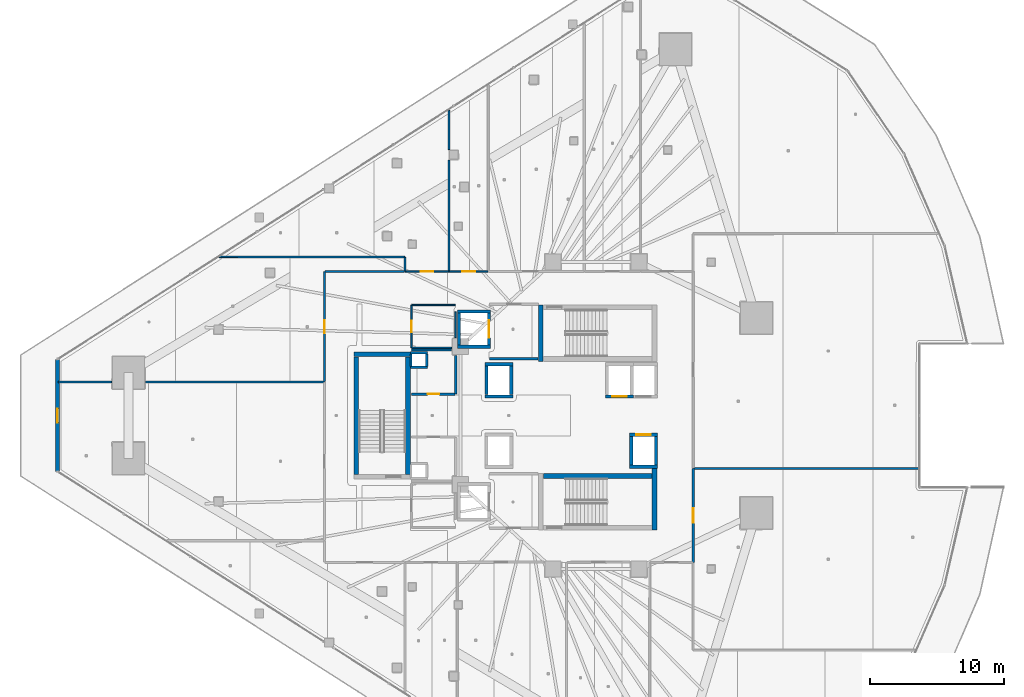
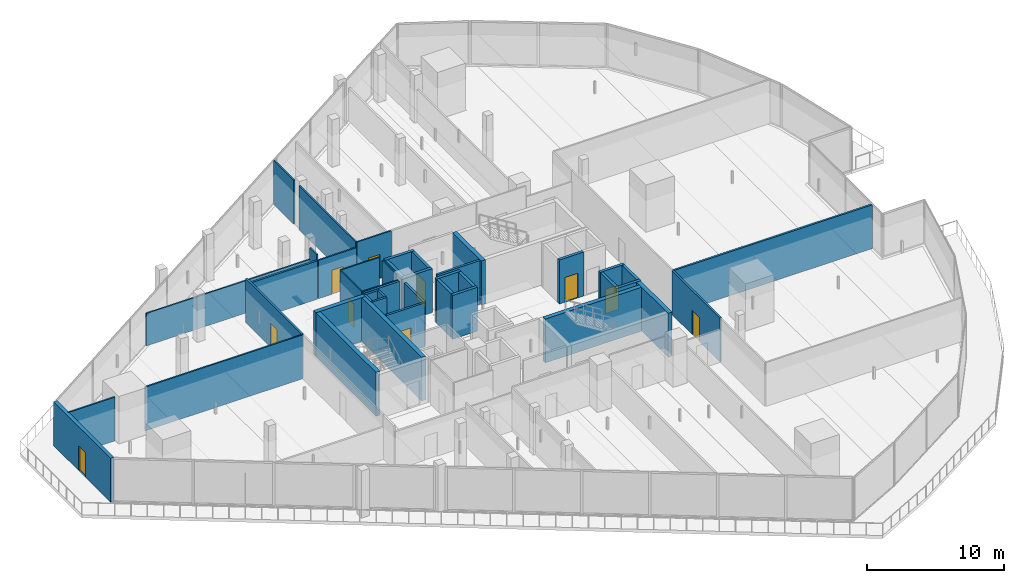
# One storey, part 30 of 44: 44 walls, 10 doors, 10 openings.
"""IFC4 building model written with IfcOpenShell, lengths in metres."""

from ifc_helpers import new_model, si_unit, direction, frame, frame_2d, origin, place, context, subcontext, project, spatial, rectangle, extrude, material, layer, layer_set, type_object, element, fill, save


model = new_model("IFC4")

# Units and contexts
model_context = context("Model", 3, precision=1e-05, world=origin(), true_north=direction((0.0, 1.0)))
body_context = subcontext(model_context, "Body", "Model", "MODEL_VIEW")
ifc_project = project(units=[si_unit("LENGTHUNIT", "METRE"), si_unit("AREAUNIT", "SQUARE_METRE"), si_unit("VOLUMEUNIT", "CUBIC_METRE"), si_unit("PLANEANGLEUNIT", "RADIAN"), si_unit("MASSUNIT", "GRAM", prefix="KILO")], contexts=[model_context])

# Site, building, storey
site_placement = place(None, origin())
site = spatial("IfcSite", under=ifc_project, at=site_placement, CompositionType="ELEMENT")
building_placement = place(site_placement, origin())
building = spatial("IfcBuilding", under=site, at=building_placement, Name="Qorvath Tower", CompositionType="ELEMENT")
storey_placement = place(building_placement, frame((0.0, 0.0, 53.39990234375)))
storey = spatial("IfcBuildingStorey", under=building, at=storey_placement, Name="L11", CompositionType="ELEMENT", Elevation=53.39990234375)

# Walls
ifc_material_1 = material(Name="Gypsum shaftliner on steel studs", Category="steel")
ifc_layer_1 = layer(ifc_material_1, 0.179931640625)
ifc_layer_set_1 = layer_set([ifc_layer_1], Name="FW-LOBBY")
wall_type_1 = type_object("IfcWallType", Name="FW-LOBBY", PredefinedType="PARTITIONING", material=ifc_layer_set_1)
for number, where, z_axis, x_axis, name in (
    (1, (-32.989990234375, 3.594970703125, 0.0), (0.0, 0.0, 1.0), (-1.0, 0.0, 0.0), "MEP Riser Shaft Enclosure Wall N-L11-S"),
    (2, (-34.260009765625, 4.675048828125, 0.0), (0.0, 0.0, 1.0), (1.0, 0.0, 0.0), "MEP Riser Shaft Enclosure Wall N-L11-N"),
):
    element("IfcWall", number, at=place(storey_placement, frame(where, z_axis=z_axis, x_axis=x_axis)), inside=storey, type_object=wall_type_1, Name=name, PredefinedType="PARTITIONING", context=body_context, shape_type="SweptSolid", body=[
        extrude(rectangle(XDim=1.27001953125, YDim=0.179931640625, at=frame_2d((0.635009765625, 0.0))), origin(), (0.0, 0.0, 1.0), 3.920166015625),
    ])
for number, where, z_axis, x_axis, name in (
    (3, (-34.205078125, 3.659912109375, 0.0), (0.0, 0.0, 1.0), (0.0, 1.0, 0.0), "MEP Riser Shaft Enclosure Wall N-L11-W"),
    (4, (-33.044921875, 4.610107421875, 0.0), (0.0, 0.0, 1.0), (0.0, -1.0, 0.0), "MEP Riser Shaft Enclosure Wall N-L11-E"),
):
    element("IfcWall", number, at=place(storey_placement, frame(where, z_axis=z_axis, x_axis=x_axis)), inside=storey, type_object=wall_type_1, Name=name, PredefinedType="PARTITIONING", context=body_context, shape_type="SweptSolid", body=[
        extrude(rectangle(XDim=0.9501953125, YDim=0.179931640625, at=frame_2d((0.47509765625, 0.0))), origin(), (0.0, 0.0, 1.0), 3.920166015625),
    ])
wall_1_placement = place(storey_placement, frame((-28.35498046875, 4.25, 0.0), z_axis=(0.0, 0.0, 1.0), x_axis=(1.0, 0.0, 0.0)))
element("IfcWall", 5, at=wall_1_placement, inside=storey, type_object=wall_type_1, Name="Interior Partition IW-T1-L11-001", PredefinedType="PARTITIONING", context=body_context, shape_type="SweptSolid", body=[
    extrude(rectangle(XDim=3.6220703125, YDim=0.179931640625, at=frame_2d((1.81103515625, 0.0))), origin(), (0.0, 0.0, 1.0), 3.920166015625),
])

# Wall, opening, door
wall_2_placement = place(storey_placement, frame((-34.15478515625, 1.60009765625, 0.0), z_axis=(0.0, 0.0, 1.0), x_axis=(1.0, 0.0, 0.0)))
wall_2 = element("IfcWall", 6, at=wall_2_placement, inside=storey, type_object=wall_type_1, Name="Interior Partition IW-T1-L11-013", PredefinedType="PARTITIONING", context=body_context, shape_type="SweptSolid", body=[
    extrude(rectangle(XDim=3.25, YDim=0.179931640625, at=frame_2d((1.625, 0.0))), origin(), (0.0, 0.0, 1.0), 3.920166015625),
])
opening_1_placement = place(wall_2_placement, frame((1.18505859375, 0.0, 0.0)))
opening_1 = element("IfcOpeningElement", 7, at=opening_1_placement, cuts=wall_2, Name="Opening D-T1-L11-03", PredefinedType="OPENING", context=body_context, shape_type="SweptSolid", body=[
    extrude(rectangle(XDim=0.8798828125, YDim=2.10009765625, at=frame_2d((0.43994140625, 1.050048828125))), frame((0.0, 0.10009765625, 0.0), z_axis=(0.0, -1.0, 0.0), x_axis=(1.0, 0.0, 0.0)), (0.0, 0.0, 1.0), 0.199951171875),
])
ifc_material_2 = material(Name="Painted galvanised hollow metal", Category="steel")
door_type_1 = type_object("IfcDoorType", Name="FD-60N", OperationType="NOTDEFINED", PredefinedType="DOOR", material=ifc_material_2)
door_1_placement = place(opening_1_placement, origin())
door_1 = element("IfcDoor", 8, at=door_1_placement, inside=storey, type_object=door_type_1, Name="Core cleaner and custodial room L11 Door D-T1-L11-03", OperationType="SINGLE_SWING_LEFT", OverallHeight=2.10009765625, OverallWidth=0.8798828125, PredefinedType="DOOR", context=body_context, shape_type="SweptSolid", body=[
    extrude(rectangle(XDim=0.8798828125, YDim=2.10009765625, at=frame_2d((0.43994140625, 1.050048828125))), frame((0.0, 0.02490234375, 0.0), z_axis=(0.0, -1.0, 0.0), x_axis=(1.0, 0.0, 0.0)), (0.0, 0.0, 1.0), 0.050048828125),
])
fill(opening_1, door_1)

# Walls
wall_3_placement = place(storey_placement, frame((-30.8798828125, 1.625, 0.0), z_axis=(0.0, 0.0, 1.0), x_axis=(0.0, 1.0, 0.0)))
element("IfcWall", 9, at=wall_3_placement, inside=storey, type_object=wall_type_1, Name="Interior Partition IW-T1-L11-014", PredefinedType="PARTITIONING", context=body_context, shape_type="SweptSolid", body=[
    extrude(rectangle(XDim=2.860107421875, YDim=0.179931640625, at=frame_2d((1.43017578125, 0.0))), origin(), (0.0, 0.0, 1.0), 3.920166015625),
])
wall_4_placement = place(storey_placement, frame((-31.1650390625, 4.89990234375, 0.0), z_axis=(0.0, 0.0, 1.0), x_axis=(-1.0, 0.0, 0.0)))
element("IfcWall", 10, at=wall_4_placement, inside=storey, type_object=wall_type_1, Name="Interior Partition IW-T1-L11-015", PredefinedType="PARTITIONING", context=body_context, shape_type="SweptSolid", body=[
    extrude(rectangle(XDim=2.98974609375, YDim=0.179931640625, at=frame_2d((1.494873046875, 0.0))), origin(), (0.0, 0.0, 1.0), 3.920166015625),
])
ifc_material_3 = material(Name="Double acoustic gypsum board on steel studs", Category="steel")
ifc_layer_2 = layer(ifc_material_3, 0.159912109375)
ifc_layer_set_2 = layer_set([ifc_layer_2], Name="IW-ACOUSTIC-160")
wall_type_2 = type_object("IfcWallType", Name="IW-ACOUSTIC-160", PredefinedType="PARTITIONING", material=ifc_layer_set_2)
wall_5_placement = place(storey_placement, frame((3.6630859375, -3.94140625, 0.0), z_axis=(0.0, 0.0, 1.0), x_axis=(-1.0, 0.0, 0.0)))
element("IfcWall", 11, at=wall_5_placement, inside=storey, type_object=wall_type_2, Name="Interior Partition IW-T1-L11-046", PredefinedType="PARTITIONING", context=body_context, shape_type="SweptSolid", body=[
    extrude(rectangle(XDim=16.7802734375, YDim=0.159912109375, at=frame_2d((8.39013671875, 0.0))), origin(), (0.0, 0.0, 1.0), 3.920166015625),
])

# Wall, opening, door
wall_6_placement = place(storey_placement, frame((-13.14208984375, -3.96630859375, 0.0), z_axis=(0.0, 0.0, 1.0), x_axis=(0.0, -1.0, 0.0)))
wall_6 = element("IfcWall", 12, at=wall_6_placement, inside=storey, type_object=wall_type_2, Name="Interior Partition IW-T1-L11-047", PredefinedType="PARTITIONING", context=body_context, shape_type="SweptSolid", body=[
    extrude(rectangle(XDim=6.99169921875, YDim=0.159912109375, at=frame_2d((3.495849609375, 0.0))), origin(), (0.0, 0.0, 1.0), 3.920166015625),
])
opening_2_placement = place(wall_6_placement, frame((2.94580078125, 0.0, 0.0)))
opening_2 = element("IfcOpeningElement", 13, at=opening_2_placement, cuts=wall_6, Name="Opening D-T1-L11-14", PredefinedType="OPENING", context=body_context, shape_type="SweptSolid", body=[
    extrude(rectangle(XDim=1.10009765625, YDim=2.14990234375, at=frame_2d((0.550048828125, 1.074951171875))), frame((0.0, 0.08984375, 0.0), z_axis=(0.0, -1.0, 0.0), x_axis=(1.0, 0.0, 0.0)), (0.0, 0.0, 1.0), 0.179931640625),
])
ifc_material_4 = material(Name="Anodised aluminium acoustic framed glass", Category="aluminium")
door_type_2 = type_object("IfcDoorType", Name="D-03", OperationType="NOTDEFINED", PredefinedType="DOOR", material=ifc_material_4)
door_2_placement = place(opening_2_placement, origin())
door_2 = element("IfcDoor", 14, at=door_2_placement, inside=storey, type_object=door_type_2, Name="L11-10 Enclosed Conference Suite Door D-T1-L11-14", OperationType="SINGLE_SWING_RIGHT", OverallHeight=2.14990234375, OverallWidth=1.10009765625, PredefinedType="DOOR", context=body_context, shape_type="SweptSolid", body=[
    extrude(rectangle(XDim=1.10009765625, YDim=2.14990234375, at=frame_2d((0.550048828125, 1.074951171875))), frame((0.0, 0.02490234375, 0.0), z_axis=(0.0, -1.0, 0.0), x_axis=(1.0, 0.0, 0.0)), (0.0, 0.0, 1.0), 0.050048828125),
])
fill(opening_2, door_2)

wall_7_placement = place(storey_placement, frame((-40.657958984375, 2.53271484375, 0.0), z_axis=(0.0, 0.0, 1.0), x_axis=(0.0, 1.0, 0.0)))
wall_7 = element("IfcWall", 15, at=wall_7_placement, inside=storey, type_object=wall_type_2, Name="Interior Partition IW-T1-L11-055", PredefinedType="PARTITIONING", context=body_context, shape_type="SweptSolid", body=[
    extrude(rectangle(XDim=8.200439453125, YDim=0.159912109375, at=frame_2d((4.10009765625, 0.0))), origin(), (0.0, 0.0, 1.0), 3.920166015625),
])
opening_3_placement = place(wall_7_placement, frame((3.625244140625, 0.0, 0.0)))
opening_3 = element("IfcOpeningElement", 16, at=opening_3_placement, cuts=wall_7, Name="Opening D-T1-L11-18", PredefinedType="OPENING", context=body_context, shape_type="SweptSolid", body=[
    extrude(rectangle(XDim=0.949951171875, YDim=2.14990234375, at=frame_2d((0.47509765625, 1.074951171875))), frame((0.0, 0.08984375, 0.0), z_axis=(0.0, -1.0, 0.0), x_axis=(1.0, 0.0, 0.0)), (0.0, 0.0, 1.0), 0.179931640625),
])
ifc_material_5 = material(Name="Solid-core American white oak veneer", Category="wood")
door_type_3 = type_object("IfcDoorType", Name="D-01", OperationType="NOTDEFINED", PredefinedType="DOOR", material=ifc_material_5)
door_3_placement = place(opening_3_placement, origin())
door_3 = element("IfcDoor", 17, at=door_3_placement, inside=storey, type_object=door_type_3, Name="L11-14 Staff Wellness Studio Door D-T1-L11-18", OperationType="SINGLE_SWING_RIGHT", OverallHeight=2.14990234375, OverallWidth=0.949951171875, PredefinedType="DOOR", context=body_context, shape_type="SweptSolid", body=[
    extrude(rectangle(XDim=0.949951171875, YDim=2.14990234375, at=frame_2d((0.47509765625, 1.074951171875))), frame((0.0, 0.02490234375, 0.0), z_axis=(0.0, -1.0, 0.0), x_axis=(1.0, 0.0, 0.0)), (0.0, 0.0, 1.0), 0.050048828125),
])
fill(opening_3, door_3)

# Walls
wall_8_placement = place(storey_placement, frame((-34.68310546875, 10.758056640625, 0.0), z_axis=(0.0, 0.0, 1.0), x_axis=(-1.0, 0.0, 0.0)))
element("IfcWall", 18, at=wall_8_placement, inside=storey, type_object=wall_type_2, Name="Interior Partition IW-T1-L11-056", PredefinedType="PARTITIONING", context=body_context, shape_type="SweptSolid", body=[
    extrude(rectangle(XDim=5.949951171875, YDim=0.159912109375, at=frame_2d((2.97509765625, 0.0))), origin(), (0.0, 0.0, 1.0), 3.43310546875),
])
ifc_material_6 = material(Name="Gypsum board on metal studs with mineral wool", Category="gypsum")
ifc_layer_3 = layer(ifc_material_6, 0.125)
ifc_layer_set_3 = layer_set([ifc_layer_3], Name="IW-PART-125")
wall_type_3 = type_object("IfcWallType", Name="IW-PART-125", PredefinedType="PARTITIONING", material=ifc_layer_set_3)
wall_9_placement = place(storey_placement, frame((-48.529296875, 11.840087890625, 0.0), z_axis=(0.0, 0.0, 1.0), x_axis=(0.999999685592, -0.000792979239, 0.0)))
element("IfcWall", 19, at=wall_9_placement, inside=storey, type_object=wall_type_3, Name="Interior Partition IW-T1-L11-019", PredefinedType="PARTITIONING", context=body_context, shape_type="SweptSolid", body=[
    extrude(rectangle(XDim=13.8544921875, YDim=0.125, at=frame_2d((6.92724609375, 0.0))), origin(), (0.0, 0.0, 1.0), 2.89013671875),
])
wall_10_placement = place(storey_placement, frame((-34.64990234375, 10.783203125, 0.0), z_axis=(0.0, 0.0, 1.0), x_axis=(0.0, 1.0, 0.0)))
element("IfcWall", 20, at=wall_10_placement, inside=storey, type_object=wall_type_3, Name="Interior Partition IW-T1-L11-020", PredefinedType="PARTITIONING", context=body_context, shape_type="SweptSolid", body=[
    extrude(rectangle(XDim=1.02099609375, YDim=0.125, at=frame_2d((0.510498046875, 0.0))), origin(), (0.0, 0.0, 1.0), 3.920166015625),
])

# Wall, opening, door
wall_11_placement = place(storey_placement, frame((-34.625, 10.758056640625, 0.0), z_axis=(0.0, 0.0, 1.0), x_axis=(1.0, 0.0, 0.0)))
wall_11 = element("IfcWall", 21, at=wall_11_placement, inside=storey, type_object=wall_type_3, Name="Interior Partition IW-T1-L11-021", PredefinedType="PARTITIONING", context=body_context, shape_type="SweptSolid", body=[
    extrude(rectangle(XDim=3.22412109375, YDim=0.125, at=frame_2d((1.612060546875, 0.0))), origin(), (0.0, 0.0, 1.0), 3.43310546875),
])
opening_4_placement = place(wall_11_placement, frame((1.136962890625, 0.0, 0.0)))
opening_4 = element("IfcOpeningElement", 22, at=opening_4_placement, cuts=wall_11, Name="Opening D-T1-L11-05", PredefinedType="OPENING", context=body_context, shape_type="SweptSolid", body=[
    extrude(rectangle(XDim=0.949951171875, YDim=2.14990234375, at=frame_2d((0.47509765625, 1.074951171875))), frame((0.0, 0.072509765625, 0.0), z_axis=(0.0, -1.0, 0.0), x_axis=(1.0, 0.0, 0.0)), (0.0, 0.0, 1.0), 0.14501953125),
])
door_4_placement = place(opening_4_placement, origin())
door_4 = element("IfcDoor", 23, at=door_4_placement, inside=storey, type_object=door_type_3, Name="L11-01 Focus Collaboration Pod Door D-T1-L11-05", OperationType="SINGLE_SWING_LEFT", OverallHeight=2.14990234375, OverallWidth=0.949951171875, PredefinedType="DOOR", context=body_context, shape_type="SweptSolid", body=[
    extrude(rectangle(XDim=0.949951171875, YDim=2.14990234375, at=frame_2d((0.47509765625, 1.074951171875))), frame((0.0, 0.02490234375, 0.0), z_axis=(0.0, -1.0, 0.0), x_axis=(1.0, 0.0, 0.0)), (0.0, 0.0, 1.0), 0.050048828125),
])
fill(opening_4, door_4)

# Walls
wall_12_placement = place(storey_placement, frame((-31.3759765625, 10.783203125, 0.0), z_axis=(0.0, 0.0, 1.0), x_axis=(0.0, 1.0, 0.0)))
element("IfcWall", 24, at=wall_12_placement, inside=storey, type_object=wall_type_3, Name="Interior Partition IW-T1-L11-022", PredefinedType="PARTITIONING", context=body_context, shape_type="SweptSolid", body=[
    extrude(rectangle(XDim=8.287109375, YDim=0.125, at=frame_2d((4.1435546875, 0.0))), origin(), (0.0, 0.0, 1.0), 3.920166015625),
])
wall_13_placement = place(storey_placement, frame((-31.3759765625, 19.850341796875, 0.0), z_axis=(0.0, 0.0, 1.0), x_axis=(0.0, 1.0, 0.0)))
element("IfcWall", 25, at=wall_13_placement, inside=storey, type_object=wall_type_3, Name="Interior Partition IW-T1-L11-023", PredefinedType="PARTITIONING", context=body_context, shape_type="SweptSolid", body=[
    extrude(rectangle(XDim=2.92431640625, YDim=0.125, at=frame_2d((1.462158203125, 0.0))), origin(), (0.0, 0.0, 1.0), 3.920166015625),
])

# Wall, opening, door
wall_14_placement = place(storey_placement, frame((-31.343017578125, 10.758056640625, 0.0), z_axis=(0.0, 0.0, 1.0), x_axis=(1.0, 0.0, 0.0)))
wall_14 = element("IfcWall", 26, at=wall_14_placement, inside=storey, type_object=wall_type_3, Name="Interior Partition IW-T1-L11-024", PredefinedType="PARTITIONING", context=body_context, shape_type="SweptSolid", body=[
    extrude(rectangle(XDim=2.880615234375, YDim=0.125, at=frame_2d((1.4404296875, 0.0))), origin(), (0.0, 0.0, 1.0), 3.920166015625),
])
opening_5_placement = place(wall_14_placement, frame((0.96533203125, 0.0, 0.0)))
opening_5 = element("IfcOpeningElement", 27, at=opening_5_placement, cuts=wall_14, Name="Opening D-T1-L11-06", PredefinedType="OPENING", context=body_context, shape_type="SweptSolid", body=[
    extrude(rectangle(XDim=0.949951171875, YDim=2.14990234375, at=frame_2d((0.47509765625, 1.074951171875))), frame((0.0, 0.072509765625, 0.0), z_axis=(0.0, -1.0, 0.0), x_axis=(1.0, 0.0, 0.0)), (0.0, 0.0, 1.0), 0.14501953125),
])
door_5_placement = place(opening_5_placement, origin())
door_5 = element("IfcDoor", 28, at=door_5_placement, inside=storey, type_object=door_type_3, Name="L11-02 Staff Refreshment Pantry and Coffee Bar Door D-T1-L11-06", OperationType="SINGLE_SWING_RIGHT", OverallHeight=2.14990234375, OverallWidth=0.949951171875, PredefinedType="DOOR", context=body_context, shape_type="SweptSolid", body=[
    extrude(rectangle(XDim=0.949951171875, YDim=2.14990234375, at=frame_2d((0.47509765625, 1.074951171875))), frame((0.0, 0.02490234375, 0.0), z_axis=(0.0, -1.0, 0.0), x_axis=(1.0, 0.0, 0.0)), (0.0, 0.0, 1.0), 0.050048828125),
])
fill(opening_5, door_5)

# Walls
wall_15_placement = place(storey_placement, frame((-40.68310546875, 2.49951171875, 0.0), z_axis=(0.0, 0.0, 1.0), x_axis=(-1.0, 0.0, 0.0)))
element("IfcWall", 29, at=wall_15_placement, inside=storey, type_object=wall_type_3, Name="Interior Partition IW-T1-L11-053", PredefinedType="PARTITIONING", context=body_context, shape_type="SweptSolid", body=[
    extrude(rectangle(XDim=13.334716796875, YDim=0.125, at=frame_2d((6.66748046875, 0.0))), origin(), (0.0, 0.0, 1.0), 3.920166015625),
])
wall_16_placement = place(storey_placement, frame((-56.5478515625, 2.49951171875, 0.0), z_axis=(0.0, 0.0, 1.0), x_axis=(-1.0, 0.0, 0.0)))
element("IfcWall", 30, at=wall_16_placement, inside=storey, type_object=wall_type_3, Name="Interior Partition IW-T1-L11-054", PredefinedType="PARTITIONING", context=body_context, shape_type="SweptSolid", body=[
    extrude(rectangle(XDim=3.97314453125, YDim=0.125, at=frame_2d((1.986572265625, 0.0))), origin(), (0.0, 0.0, 1.0), 3.920166015625),
])

# Wall, opening, door
ifc_material_7 = material(Name="Moisture-resistant cement board on metal studs", Category="gypsum")
ifc_layer_4 = layer(ifc_material_7, 0.110107421875)
ifc_layer_set_4 = layer_set([ifc_layer_4], Name="IW-WC-110")
wall_type_4 = type_object("IfcWallType", Name="IW-WC-110", PredefinedType="PARTITIONING", material=ifc_layer_set_4)
wall_17_placement = place(storey_placement, frame((-34.179931640625, 8.22509765625, 0.0), z_axis=(0.0, 0.0, 1.0), x_axis=(0.0, -1.0, 0.0)))
wall_17 = element("IfcWall", 31, at=wall_17_placement, inside=storey, type_object=wall_type_4, Name="Interior Partition IW-T1-L11-005", PredefinedType="PARTITIONING", context=body_context, shape_type="SweptSolid", body=[
    extrude(rectangle(XDim=3.150146484375, YDim=0.110107421875, at=frame_2d((1.5751953125, 0.0))), origin(), (0.0, 0.0, 1.0), 3.920166015625),
])
opening_6_placement = place(wall_17_placement, frame((1.135009765625, 0.0, 0.0)))
opening_6 = element("IfcOpeningElement", 32, at=opening_6_placement, cuts=wall_17, Name="Opening D-T1-L11-01", PredefinedType="OPENING", context=body_context, shape_type="SweptSolid", body=[
    extrude(rectangle(XDim=0.8798828125, YDim=2.10009765625, at=frame_2d((0.43994140625, 1.050048828125))), frame((0.0, 0.06494140625, 0.0), z_axis=(0.0, -1.0, 0.0), x_axis=(1.0, 0.0, 0.0)), (0.0, 0.0, 1.0), 0.130126953125),
])
ifc_material_8 = material(Name="Solid-core oak with acoustic drop seal", Category="wood")
door_type_4 = type_object("IfcDoorType", Name="D-02", OperationType="NOTDEFINED", PredefinedType="DOOR", material=ifc_material_8)
door_6_placement = place(opening_6_placement, origin())
door_6 = element("IfcDoor", 33, at=door_6_placement, inside=storey, type_object=door_type_4, Name="WC All-Gender North L11 Door D-T1-L11-01", OperationType="SINGLE_SWING_LEFT", OverallHeight=2.10009765625, OverallWidth=0.8798828125, PredefinedType="DOOR", context=body_context, shape_type="SweptSolid", body=[
    extrude(rectangle(XDim=0.8798828125, YDim=2.10009765625, at=frame_2d((0.43994140625, 1.050048828125))), frame((0.0, 0.02490234375, 0.0), z_axis=(0.0, -1.0, 0.0), x_axis=(1.0, 0.0, 0.0)), (0.0, 0.0, 1.0), 0.050048828125),
])
fill(opening_6, door_6)

# Walls
wall_18_placement = place(storey_placement, frame((-34.15478515625, 5.050048828125, 0.0), z_axis=(0.0, 0.0, 1.0), x_axis=(1.0, 0.0, 0.0)))
element("IfcWall", 34, at=wall_18_placement, inside=storey, type_object=wall_type_4, Name="Interior Partition IW-T1-L11-006", PredefinedType="PARTITIONING", context=body_context, shape_type="SweptSolid", body=[
    extrude(rectangle(XDim=2.98974609375, YDim=0.110107421875, at=frame_2d((1.494873046875, 0.0))), origin(), (0.0, 0.0, 1.0), 3.920166015625),
])
wall_19_placement = place(storey_placement, frame((-30.8798828125, 5.81494140625, 0.0), z_axis=(0.0, 0.0, 1.0), x_axis=(0.0, 1.0, 0.0)))
element("IfcWall", 35, at=wall_19_placement, inside=storey, type_object=wall_type_4, Name="Interior Partition IW-T1-L11-007", PredefinedType="PARTITIONING", context=body_context, shape_type="SweptSolid", body=[
    extrude(rectangle(XDim=1.927978515625, YDim=0.110107421875, at=frame_2d((0.9638671875, 0.0))), origin(), (0.0, 0.0, 1.0), 3.920166015625),
])
wall_20_placement = place(storey_placement, frame((-30.90478515625, 8.25, 0.0), z_axis=(0.0, 0.0, 1.0), x_axis=(-1.0, 0.0, 0.0)))
element("IfcWall", 36, at=wall_20_placement, inside=storey, type_object=wall_type_4, Name="Interior Partition IW-T1-L11-008", PredefinedType="PARTITIONING", context=body_context, shape_type="SweptSolid", body=[
    extrude(rectangle(XDim=3.25, YDim=0.110107421875, at=frame_2d((1.625, 0.0))), origin(), (0.0, 0.0, 1.0), 3.920166015625),
])
ifc_material_9 = material(Name="Concrete C60/75", Category="concrete")
ifc_layer_5 = layer(ifc_material_9, 0.260009765625)
ifc_layer_set_5 = layer_set([ifc_layer_5], Name="SW-SHAFT")
wall_type_5 = type_object("IfcWallType", Name="SW-SHAFT", PredefinedType="SHEAR", material=ifc_layer_set_5)
for number, where, z_axis, x_axis, name in (
    (37, (-28.260009765625, 5.1298828125, 0.0), (0.0, 0.0, 1.0), (-1.0, 0.0, 0.0), "Hoistway Wall FSAE-1 L11 S"),
    (38, (-30.739990234375, 7.77001953125, 0.0), (0.0, 0.0, 1.0), (1.0, 0.0, 0.0), "Hoistway Wall FSAE-1 L11 N"),
):
    element("IfcWall", number, at=place(storey_placement, frame(where, z_axis=z_axis, x_axis=x_axis)), inside=storey, type_object=wall_type_5, Name=name, PredefinedType="SHEAR", context=body_context, shape_type="SweptSolid", body=[
        extrude(rectangle(XDim=2.47998046875, YDim=0.239990234375, at=frame_2d((1.239990234375, 0.0))), origin(), (0.0, 0.0, 1.0), 3.920166015625),
    ])
wall_21_placement = place(storey_placement, frame((-30.6201171875, 5.261962890625, 0.0), z_axis=(0.0, 0.0, 1.0), x_axis=(0.0, 1.0, 0.0)))
element("IfcWall", 39, at=wall_21_placement, inside=storey, type_object=wall_type_5, Name="Hoistway Wall FSAE-1 L11 W", PredefinedType="SHEAR", context=body_context, shape_type="SweptSolid", body=[
    extrude(rectangle(XDim=2.3759765625, YDim=0.239990234375, at=frame_2d((1.18798828125, 0.0))), origin(), (0.0, 0.0, 1.0), 3.920166015625),
])

# Wall, opening, door
wall_22_placement = place(storey_placement, frame((-28.3798828125, 7.637939453125, 0.0), z_axis=(0.0, 0.0, 1.0), x_axis=(0.0, -1.0, 0.0)))
wall_22 = element("IfcWall", 40, at=wall_22_placement, inside=storey, type_object=wall_type_5, Name="Hoistway Wall FSAE-1 L11 E", PredefinedType="SHEAR", context=body_context, shape_type="SweptSolid", body=[
    extrude(rectangle(XDim=2.3759765625, YDim=0.239990234375, at=frame_2d((1.18798828125, 0.0))), origin(), (0.0, 0.0, 1.0), 3.920166015625),
])
opening_7_placement = place(wall_22_placement, frame((0.537841796875, 0.0, 0.0)))
opening_7 = element("IfcOpeningElement", 41, at=opening_7_placement, cuts=wall_22, Name="Opening LD-FSAE-1-L11", PredefinedType="OPENING", context=body_context, shape_type="SweptSolid", body=[
    extrude(rectangle(XDim=1.300048828125, YDim=2.300048828125, at=frame_2d((0.64990234375, 1.14990234375))), frame((0.0, 0.1298828125, 0.0), z_axis=(0.0, -1.0, 0.0), x_axis=(1.0, 0.0, 0.0)), (0.0, 0.0, 1.0), 0.260009765625),
])
ifc_material_10 = material(Name="Brushed stainless steel AISI 316", Category="steel")
door_type_5 = type_object("IfcDoorType", Name="LD-02", OperationType="NOTDEFINED", PredefinedType="DOOR", material=ifc_material_10)
door_7_placement = place(opening_7_placement, origin())
door_7 = element("IfcDoor", 42, at=door_7_placement, inside=storey, type_object=door_type_5, Name="Elevator Landing Sliding Door LD-FSAE-1-L11", OperationType="DOUBLE_DOOR_SLIDING", OverallHeight=2.300048828125, OverallWidth=1.300048828125, PredefinedType="DOOR", context=body_context, shape_type="SweptSolid", body=[
    extrude(rectangle(XDim=1.300048828125, YDim=2.300048828125, at=frame_2d((0.64990234375, 1.14990234375))), frame((0.0, 0.02490234375, 0.0), z_axis=(0.0, -1.0, 0.0), x_axis=(1.0, 0.0, 0.0)), (0.0, 0.0, 1.0), 0.050048828125),
])
fill(opening_7, door_7)

# Walls
for number, where, z_axis, x_axis, name in (
    (43, (-26.610107421875, 1.429931640625, 0.0), (0.0, 0.0, 1.0), (-1.0, 0.0, 0.0), "Hoistway Wall PS-1 L11 S"),
    (44, (-28.68994140625, 3.820068359375, 0.0), (0.0, 0.0, 1.0), (1.0, 0.0, 0.0), "Hoistway Wall PS-1 L11 N"),
):
    element("IfcWall", number, at=place(storey_placement, frame(where, z_axis=z_axis, x_axis=x_axis)), inside=storey, type_object=wall_type_5, Name=name, PredefinedType="SHEAR", context=body_context, shape_type="SweptSolid", body=[
        extrude(rectangle(XDim=2.079833984375, YDim=0.239990234375, at=frame_2d((1.0400390625, 0.0))), origin(), (0.0, 0.0, 1.0), 3.920166015625),
    ])
for number, where, z_axis, x_axis, name in (
    (45, (-28.570068359375, 1.56201171875, 0.0), (0.0, 0.0, 1.0), (0.0, 1.0, 0.0), "Hoistway Wall PS-1 L11 W"),
    (46, (-26.72998046875, 3.68798828125, 0.0), (0.0, 0.0, 1.0), (0.0, -1.0, 0.0), "Hoistway Wall PS-1 L11 E"),
):
    element("IfcWall", number, at=place(storey_placement, frame(where, z_axis=z_axis, x_axis=x_axis)), inside=storey, type_object=wall_type_5, Name=name, PredefinedType="SHEAR", context=body_context, shape_type="SweptSolid", body=[
        extrude(rectangle(XDim=2.1259765625, YDim=0.239990234375, at=frame_2d((1.06298828125, 0.0))), origin(), (0.0, 0.0, 1.0), 3.920166015625),
    ])

# Wall, opening, door
wall_23_placement = place(storey_placement, frame((-17.610107421875, 1.429931640625, 0.0), z_axis=(0.0, 0.0, 1.0), x_axis=(-1.0, 0.0, 0.0)))
wall_23 = element("IfcWall", 47, at=wall_23_placement, inside=storey, type_object=wall_type_5, Name="Hoistway Wall PL-1 L11 S", PredefinedType="SHEAR", context=body_context, shape_type="SweptSolid", body=[
    extrude(rectangle(XDim=2.079833984375, YDim=0.239990234375, at=frame_2d((1.0400390625, 0.0))), origin(), (0.0, 0.0, 1.0), 3.920166015625),
])
opening_8_placement = place(wall_23_placement, frame((0.48974609375, 0.0, 0.0)))
opening_8 = element("IfcOpeningElement", 48, at=opening_8_placement, cuts=wall_23, Name="Opening LD-PL-1-L11", PredefinedType="OPENING", context=body_context, shape_type="SweptSolid", body=[
    extrude(rectangle(XDim=1.10009765625, YDim=2.199951171875, at=frame_2d((0.550048828125, 1.10009765625))), frame((0.0, 0.1298828125, 0.0), z_axis=(0.0, -1.0, 0.0), x_axis=(1.0, 0.0, 0.0)), (0.0, 0.0, 1.0), 0.260009765625),
])
ifc_material_11 = material(Name="Brushed stainless steel AISI 316", Category="steel")
door_type_6 = type_object("IfcDoorType", Name="LD-01", OperationType="NOTDEFINED", PredefinedType="DOOR", material=ifc_material_11)
door_8_placement = place(opening_8_placement, origin())
door_8 = element("IfcDoor", 49, at=door_8_placement, inside=storey, type_object=door_type_6, Name="Elevator Landing Sliding Door LD-PL-1-L11", OperationType="DOUBLE_DOOR_SLIDING", OverallHeight=2.199951171875, OverallWidth=1.10009765625, PredefinedType="DOOR", context=body_context, shape_type="SweptSolid", body=[
    extrude(rectangle(XDim=1.10009765625, YDim=2.199951171875, at=frame_2d((0.550048828125, 1.10009765625))), frame((0.0, 0.02490234375, 0.0), z_axis=(0.0, -1.0, 0.0), x_axis=(1.0, 0.0, 0.0)), (0.0, 0.0, 1.0), 0.050048828125),
])
fill(opening_8, door_8)

# Wall
wall_24_placement = place(storey_placement, frame((-15.81005859375, -3.820068359375, 0.0), z_axis=(0.0, 0.0, 1.0), x_axis=(-1.0, 0.0, 0.0)))
element("IfcWall", 50, at=wall_24_placement, inside=storey, type_object=wall_type_5, Name="Hoistway Wall PL-2 L11 S", PredefinedType="SHEAR", context=body_context, shape_type="SweptSolid", body=[
    extrude(rectangle(XDim=2.079833984375, YDim=0.239990234375, at=frame_2d((1.0400390625, 0.0))), origin(), (0.0, 0.0, 1.0), 3.920166015625),
])

# Wall, opening, door
wall_25_placement = place(storey_placement, frame((-17.889892578125, -1.429931640625, 0.0), z_axis=(0.0, 0.0, 1.0), x_axis=(1.0, 0.0, 0.0)))
wall_25 = element("IfcWall", 51, at=wall_25_placement, inside=storey, type_object=wall_type_5, Name="Hoistway Wall PL-2 L11 N", PredefinedType="SHEAR", context=body_context, shape_type="SweptSolid", body=[
    extrude(rectangle(XDim=2.079833984375, YDim=0.239990234375, at=frame_2d((1.0400390625, 0.0))), origin(), (0.0, 0.0, 1.0), 3.920166015625),
])
opening_9_placement = place(wall_25_placement, frame((0.48974609375, 0.0, 0.0)))
opening_9 = element("IfcOpeningElement", 52, at=opening_9_placement, cuts=wall_25, Name="Opening LD-PL-2-L11", PredefinedType="OPENING", context=body_context, shape_type="SweptSolid", body=[
    extrude(rectangle(XDim=1.10009765625, YDim=2.199951171875, at=frame_2d((0.550048828125, 1.10009765625))), frame((0.0, 0.1298828125, 0.0), z_axis=(0.0, -1.0, 0.0), x_axis=(1.0, 0.0, 0.0)), (0.0, 0.0, 1.0), 0.260009765625),
])
door_9_placement = place(opening_9_placement, origin())
door_9 = element("IfcDoor", 53, at=door_9_placement, inside=storey, type_object=door_type_6, Name="Elevator Landing Sliding Door LD-PL-2-L11", OperationType="DOUBLE_DOOR_SLIDING", OverallHeight=2.199951171875, OverallWidth=1.10009765625, PredefinedType="DOOR", context=body_context, shape_type="SweptSolid", body=[
    extrude(rectangle(XDim=1.10009765625, YDim=2.199951171875, at=frame_2d((0.550048828125, 1.10009765625))), frame((0.0, 0.02490234375, 0.0), z_axis=(0.0, -1.0, 0.0), x_axis=(1.0, 0.0, 0.0)), (0.0, 0.0, 1.0), 0.050048828125),
])
fill(opening_9, door_9)

# Walls
for number, where, z_axis, x_axis, name in (
    (54, (-17.77001953125, -3.68798828125, 0.0), (0.0, 0.0, 1.0), (0.0, 1.0, 0.0), "Hoistway Wall PL-2 L11 W"),
    (55, (-15.929931640625, -1.56201171875, 0.0), (0.0, 0.0, 1.0), (0.0, -1.0, 0.0), "Hoistway Wall PL-2 L11 E"),
):
    element("IfcWall", number, at=place(storey_placement, frame(where, z_axis=z_axis, x_axis=x_axis)), inside=storey, type_object=wall_type_5, Name=name, PredefinedType="SHEAR", context=body_context, shape_type="SweptSolid", body=[
        extrude(rectangle(XDim=2.1259765625, YDim=0.239990234375, at=frame_2d((1.06298828125, 0.0))), origin(), (0.0, 0.0, 1.0), 3.920166015625),
    ])
ifc_material_12 = material(Name="Concrete C60/75", Category="concrete")
ifc_layer_6 = layer(ifc_material_12, 0.35009765625)
ifc_layer_set_6 = layer_set([ifc_layer_6], Name="SW-STAIR")
wall_type_6 = type_object("IfcWallType", Name="SW-STAIR", PredefinedType="SHEAR", material=ifc_layer_set_6)
wall_26_placement = place(storey_placement, frame((-24.52490234375, 8.260009765625, 0.0), z_axis=(0.0, 0.0, 1.0), x_axis=(0.0, -1.0, 0.0)))
element("IfcWall", 56, at=wall_26_placement, inside=storey, type_object=wall_type_6, Name="Stair TS1 Shear Wall L11 NEAR", PredefinedType="SHEAR", context=body_context, shape_type="SweptSolid", body=[
    extrude(rectangle(XDim=4.2099609375, YDim=0.35009765625, at=frame_2d((2.10498046875, 0.0))), origin(), (0.0, 0.0, 1.0), 3.920166015625),
])
wall_27_placement = place(storey_placement, frame((-16.02490234375, -8.550048828125, 0.0), z_axis=(0.0, 0.0, 1.0), x_axis=(0.0, 1.0, 0.0)))
element("IfcWall", 57, at=wall_27_placement, inside=storey, type_object=wall_type_6, Name="Stair TS2 Shear Wall L11 FAR", PredefinedType="SHEAR", context=body_context, shape_type="SweptSolid", body=[
    extrude(rectangle(XDim=4.610107421875, YDim=0.35009765625, at=frame_2d((2.30517578125, 0.0))), origin(), (0.0, 0.0, 1.0), 3.920166015625),
])
wall_28_placement = place(storey_placement, frame((-16.215087890625, -4.514892578125, 0.0), z_axis=(0.0, 0.0, 1.0), x_axis=(-1.0, 0.0, 0.0)))
element("IfcWall", 58, at=wall_28_placement, inside=storey, type_object=wall_type_6, Name="Stair TS2 Shear Wall L11 RIGHT", PredefinedType="SHEAR", context=body_context, shape_type="SweptSolid", body=[
    extrude(rectangle(XDim=8.119873046875, YDim=0.35009765625, at=frame_2d((4.06005859375, 0.0))), origin(), (0.0, 0.0, 1.0), 3.920166015625),
])
wall_29_placement = place(storey_placement, frame((-34.25, 4.574951171875, 0.0), z_axis=(0.0, 0.0, 1.0), x_axis=(-1.0, 0.0, 0.0)))
element("IfcWall", 59, at=wall_29_placement, inside=storey, type_object=wall_type_6, Name="Stair TS3 Shear Wall L11 FAR", PredefinedType="SHEAR", context=body_context, shape_type="SweptSolid", body=[
    extrude(rectangle(XDim=4.2099609375, YDim=0.35009765625, at=frame_2d((2.10498046875, 0.0))), origin(), (0.0, 0.0, 1.0), 3.920166015625),
])
for number, where, z_axis, x_axis, name in (
    (60, (-34.425048828125, -4.385009765625, 0.0), (0.0, 0.0, 1.0), (0.0, 1.0, 0.0), "Stair TS3 Shear Wall L11 LEFT"),
    (61, (-38.284912109375, 4.385009765625, 0.0), (0.0, 0.0, 1.0), (0.0, -1.0, 0.0), "Stair TS3 Shear Wall L11 RIGHT"),
):
    element("IfcWall", number, at=place(storey_placement, frame(where, z_axis=z_axis, x_axis=x_axis)), inside=storey, type_object=wall_type_6, Name=name, PredefinedType="SHEAR", context=body_context, shape_type="SweptSolid", body=[
        extrude(rectangle(XDim=8.77001953125, YDim=0.35009765625, at=frame_2d((4.385009765625, 0.0))), origin(), (0.0, 0.0, 1.0), 3.920166015625),
    ])

# Wall, opening, door
ifc_material_13 = material(Name="Precast concrete C45/55", Category="concrete")
ifc_layer_7 = layer(ifc_material_13, 0.300048828125)
ifc_layer_set_7 = layer_set([ifc_layer_7], Name="WL-EW-LOG-300")
wall_type_7 = type_object("IfcWallType", Name="WL-EW-LOG-300", PredefinedType="SOLIDWALL", material=ifc_layer_set_7)
wall_30_placement = place(storey_placement, frame((-60.60107421875, -4.176025390625, 0.0), z_axis=(0.0, 0.0, 1.0), x_axis=(0.0, 1.0, 0.0)))
wall_30 = element("IfcWall", 62, at=wall_30_placement, inside=storey, type_object=wall_type_7, Name="Tower Precast Loggia Wall L11-1.1", PredefinedType="SOLIDWALL", context=body_context, shape_type="SweptSolid", body=[
    extrude(rectangle(XDim=8.35205078125, YDim=0.300048828125, at=frame_2d((4.176025390625, 0.0))), origin(), (0.0, 0.0, 1.0), 3.920166015625),
])
opening_10_placement = place(wall_30_placement, frame((3.65087890625, 0.0, 0.0)))
opening_10 = element("IfcOpeningElement", 63, at=opening_10_placement, cuts=wall_30, Name="Opening ED-L11-01", PredefinedType="OPENING", context=body_context, shape_type="SweptSolid", body=[
    extrude(rectangle(XDim=1.050048828125, YDim=2.199951171875, at=frame_2d((0.52490234375, 1.10009765625))), frame((0.0, 0.16015625, 0.0), z_axis=(0.0, -1.0, 0.0), x_axis=(1.0, 0.0, 0.0)), (0.0, 0.0, 1.0), 0.320068359375),
])
ifc_material_14 = material(Name="Thermally broken aluminium glazed door", Category="aluminium")
door_type_7 = type_object("IfcDoorType", Name="ED-LOG", OperationType="NOTDEFINED", PredefinedType="DOOR", material=ifc_material_14)
door_10_placement = place(opening_10_placement, origin())
door_10 = element("IfcDoor", 64, at=door_10_placement, inside=storey, type_object=door_type_7, Name="L11 Recessed Loggia Access Door 1", OperationType="SINGLE_SWING_RIGHT", OverallHeight=2.199951171875, OverallWidth=1.050048828125, PredefinedType="DOOR", context=body_context, shape_type="SweptSolid", body=[
    extrude(rectangle(XDim=1.050048828125, YDim=2.199951171875, at=frame_2d((0.52490234375, 1.10009765625))), frame((0.0, 0.02490234375, 0.0), z_axis=(0.0, -1.0, 0.0), x_axis=(1.0, 0.0, 0.0)), (0.0, 0.0, 1.0), 0.050048828125),
])
fill(opening_10, door_10)

save(model, "model.ifc")
